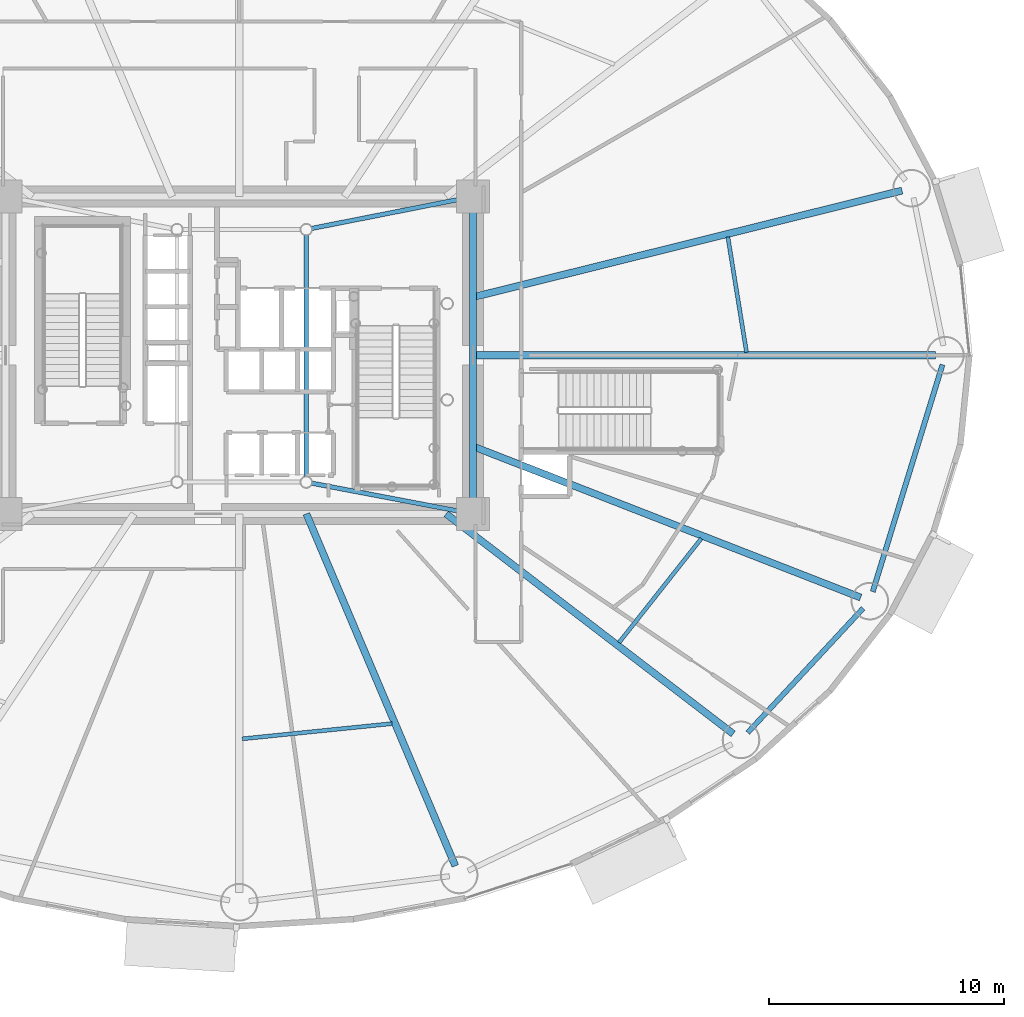
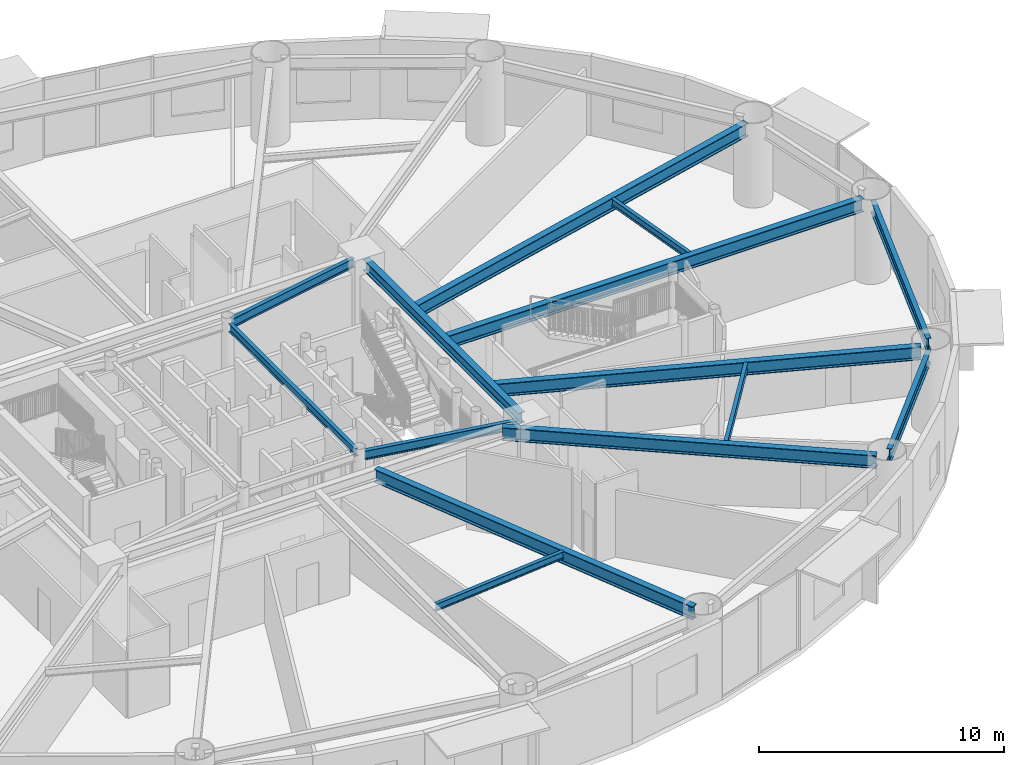
# One storey, part 7 of 29: 14 beams.
"""IFC4 building model written with IfcOpenShell, lengths in metres."""

from ifc_helpers import new_model, si_unit, direction, frame, origin, origin_2d, place, context, subcontext, project, spatial, i_section, extrude, material, material_profile, profile_set, type_object, element, save


model = new_model("IFC4")

# Units and contexts
model_context = context("Model", 3, precision=1e-05, world=origin(), true_north=direction((0.0, 1.0)))
body_context = subcontext(model_context, "Body", "Model", "MODEL_VIEW")
ifc_project = project(units=[si_unit("LENGTHUNIT", "METRE"), si_unit("AREAUNIT", "SQUARE_METRE"), si_unit("VOLUMEUNIT", "CUBIC_METRE"), si_unit("PLANEANGLEUNIT", "RADIAN"), si_unit("MASSUNIT", "GRAM", prefix="KILO")], contexts=[model_context])

# Site, building, storey
site_placement = place(None, origin())
site = spatial("IfcSite", under=ifc_project, at=site_placement, CompositionType="ELEMENT")
building_placement = place(site_placement, origin())
building = spatial("IfcBuilding", under=site, at=building_placement, Name="Linh Dai School and Residence Tower", CompositionType="ELEMENT")
storey_placement = place(building_placement, frame((0.0, 0.0, 45.0)))
storey = spatial("IfcBuildingStorey", under=building, at=storey_placement, Name="L10", CompositionType="ELEMENT", Elevation=45.0)

# Beams
ifc_material = material(Name="Structural Steel S355JR", Category="steel")
ifc_material_profile_1 = material_profile(ifc_material, i_section(OverallWidth=0.219970703125, OverallDepth=0.60009765625, WebThickness=0.011962890625, FlangeThickness=0.01904296875, FilletRadius=0.02392578125, at=origin_2d()), Name="IPE 600")
ifc_profile_set_1 = profile_set([ifc_material_profile_1], Name="Structural Steel S355JR")
beam_type_1 = type_object("IfcBeamType", Name="BM-RB60", PredefinedType="BEAM", material=ifc_profile_set_1)
beam_1_placement = place(storey_placement, frame((57.638427734375, 10.938720703125, 3.64990234375), z_axis=(0.680408287194, 0.732833243458, 0.0), x_axis=(-0.732833243458, 0.680408287194, 0.0)))
element("IfcBeam", 1, at=beam_1_placement, inside=storey, type_object=beam_type_1, Name="L10 Perimeter Elliptical Ring Beam 15", PredefinedType="BEAM", context=body_context, shape_type="SweptSolid", body=[
    extrude(i_section(OverallWidth=0.219970703125, OverallDepth=0.60009765625, WebThickness=0.011962890625, FlangeThickness=0.01904296875, FilletRadius=0.02392578125, at=origin_2d()), origin(), (0.0, 0.0, 1.0), 7.21826171875),
])
beam_2_placement = place(storey_placement, frame((62.958740234375, 16.937744140625, 3.64990234375), z_axis=(0.293673329015, 0.95590584046, 0.0), x_axis=(-0.95590584046, 0.293673329015, 0.0)))
element("IfcBeam", 2, at=beam_2_placement, inside=storey, type_object=beam_type_1, Name="L10 Perimeter Elliptical Ring Beam 16", PredefinedType="BEAM", context=body_context, shape_type="SweptSolid", body=[
    extrude(i_section(OverallWidth=0.219970703125, OverallDepth=0.60009765625, WebThickness=0.011962890625, FlangeThickness=0.01904296875, FilletRadius=0.02392578125, at=origin_2d()), origin(), (0.0, 0.0, 1.0), 10.1064453125),
])
ifc_material_profile_2 = material_profile(ifc_material, i_section(OverallWidth=0.300048828125, OverallDepth=0.550048828125, WebThickness=0.014892578125, FlangeThickness=0.029052734375, FilletRadius=0.027099609375, at=origin_2d()), Name="HEB 550")
ifc_profile_set_2 = profile_set([ifc_material_profile_2], Name="Structural Steel S355JR")
beam_type_2 = type_object("IfcBeamType", Name="BM-RG55", PredefinedType="BEAM", material=ifc_profile_set_2)
beam_3_placement = place(storey_placement, frame((45.949951171875, 20.669921875, 3.675048828125), z_axis=(0.0, 1.0, 0.0), x_axis=(-1.0, 0.0, 0.0)))
element("IfcBeam", 3, at=beam_3_placement, inside=storey, type_object=beam_type_2, Name="L10 Core Perimeter Coupling Girder 2", PredefinedType="BEAM", context=body_context, shape_type="SweptSolid", body=[
    extrude(i_section(OverallWidth=0.300048828125, OverallDepth=0.550048828125, WebThickness=0.014892578125, FlangeThickness=0.029052734375, FilletRadius=0.027099609375, at=origin_2d()), origin(), (0.0, 0.0, 1.0), 12.66015625),
])
ifc_material_profile_3 = material_profile(ifc_material, i_section(OverallWidth=0.300048828125, OverallDepth=0.64990234375, WebThickness=0.01611328125, FlangeThickness=0.031005859375, FilletRadius=0.027099609375, at=origin_2d()), Name="HEB 650")
ifc_profile_set_3 = profile_set([ifc_material_profile_3], Name="Structural Steel S355JR")
beam_type_3 = type_object("IfcBeamType", Name="BM-RG65", PredefinedType="BEAM", material=ifc_profile_set_3)
beam_4_placement = place(storey_placement, frame((45.949951171875, 27.0, 3.625), z_axis=(1.0, 0.0, 0.0), x_axis=(0.0, 1.0, 0.0)))
element("IfcBeam", 4, at=beam_4_placement, inside=storey, type_object=beam_type_3, Name="L10 Primary Radial Floor Girder 01", PredefinedType="BEAM", context=body_context, shape_type="SweptSolid", body=[
    extrude(i_section(OverallWidth=0.300048828125, OverallDepth=0.64990234375, WebThickness=0.01611328125, FlangeThickness=0.031005859375, FilletRadius=0.027099609375, at=origin_2d()), origin(), (0.0, 0.0, 1.0), 19.679931640625),
])
beam_5_placement = place(storey_placement, frame((45.949951171875, 29.47216796875, 3.625), z_axis=(0.970493481328, 0.241127357843, 0.0), x_axis=(-0.241127357843, 0.970493481328, 0.0)))
element("IfcBeam", 5, at=beam_5_placement, inside=storey, type_object=beam_type_3, Name="L10 Primary Radial Floor Girder 02", PredefinedType="BEAM", context=body_context, shape_type="SweptSolid", body=[
    extrude(i_section(OverallWidth=0.300048828125, OverallDepth=0.64990234375, WebThickness=0.01611328125, FlangeThickness=0.031005859375, FilletRadius=0.027099609375, at=origin_2d()), origin(), (0.0, 0.0, 1.0), 18.80810546875),
])
beam_6_placement = place(storey_placement, frame((38.85546875, 20.25, 3.625), z_axis=(0.38962432485, -0.920973878829, 0.0), x_axis=(0.920973878829, 0.38962432485, 0.0)))
element("IfcBeam", 6, at=beam_6_placement, inside=storey, type_object=beam_type_3, Name="L10 Primary Radial Floor Girder 14", PredefinedType="BEAM", context=body_context, shape_type="SweptSolid", body=[
    extrude(i_section(OverallWidth=0.300048828125, OverallDepth=0.64990234375, WebThickness=0.01611328125, FlangeThickness=0.031005859375, FilletRadius=0.027099609375, at=origin_2d()), origin(), (0.0, 0.0, 1.0), 16.2685546875),
])
beam_7_placement = place(storey_placement, frame((44.804931640625, 20.25, 3.625), z_axis=(0.793637764155, -0.608390581212, 0.0), x_axis=(0.608390581212, 0.793637764155, 0.0)))
element("IfcBeam", 7, at=beam_7_placement, inside=storey, type_object=beam_type_3, Name="L10 Primary Radial Floor Girder 15", PredefinedType="BEAM", context=body_context, shape_type="SweptSolid", body=[
    extrude(i_section(OverallWidth=0.300048828125, OverallDepth=0.64990234375, WebThickness=0.01611328125, FlangeThickness=0.031005859375, FilletRadius=0.027099609375, at=origin_2d()), origin(), (0.0, 0.0, 1.0), 15.390625),
])
beam_8_placement = place(storey_placement, frame((45.949951171875, 23.120361328125, 3.625), z_axis=(0.93167509369, -0.363292609061, 0.0), x_axis=(0.363292609061, 0.93167509369, 0.0)))
element("IfcBeam", 8, at=beam_8_placement, inside=storey, type_object=beam_type_3, Name="L10 Primary Radial Floor Girder 16", PredefinedType="BEAM", context=body_context, shape_type="SweptSolid", body=[
    extrude(i_section(OverallWidth=0.300048828125, OverallDepth=0.64990234375, WebThickness=0.01611328125, FlangeThickness=0.031005859375, FilletRadius=0.027099609375, at=origin_2d()), origin(), (0.0, 0.0, 1.0), 17.703857421875),
])
ifc_material_profile_4 = material_profile(ifc_material, i_section(OverallWidth=0.169921875, OverallDepth=0.360107421875, WebThickness=0.008056640625, FlangeThickness=0.0126953125, FilletRadius=0.01806640625, at=origin_2d()), Name="IPE 360")
ifc_profile_set_4 = profile_set([ifc_material_profile_4], Name="Structural Steel S355JR")
beam_type_4 = type_object("IfcBeamType", Name="BM-SB36", PredefinedType="BEAM", material=ifc_profile_set_4)
beam_9_placement = place(storey_placement, frame((57.587158203125, 27.12841796875, 3.77001953125), z_axis=(-0.159655745546, 0.987172752316, 0.0), x_axis=(-0.987172752316, -0.159655745546, 0.0)))
element("IfcBeam", 9, at=beam_9_placement, inside=storey, type_object=beam_type_4, Name="L10 Secondary Circumferential Floor Beam 01", PredefinedType="BEAM", context=body_context, shape_type="SweptSolid", body=[
    extrude(i_section(OverallWidth=0.169921875, OverallDepth=0.360107421875, WebThickness=0.008056640625, FlangeThickness=0.0126953125, FilletRadius=0.01806640625, at=origin_2d()), origin(), (0.0, 0.0, 1.0), 4.96826171875),
])
beam_10_placement = place(storey_placement, frame((36.12939453125, 10.67578125, 3.77001953125), z_axis=(0.994886521003, 0.100999061019, 0.0), x_axis=(-0.100999061019, 0.994886521003, 0.0)))
element("IfcBeam", 10, at=beam_10_placement, inside=storey, type_object=beam_type_4, Name="L10 Secondary Circumferential Floor Beam 07", PredefinedType="BEAM", context=body_context, shape_type="SweptSolid", body=[
    extrude(i_section(OverallWidth=0.169921875, OverallDepth=0.360107421875, WebThickness=0.008056640625, FlangeThickness=0.0126953125, FilletRadius=0.01806640625, at=origin_2d()), origin(), (0.0, 0.0, 1.0), 6.40087890625),
])
beam_11_placement = place(storey_placement, frame((52.163330078125, 14.77294921875, 3.77001953125), z_axis=(0.620205247605, 0.78443957756, 0.0), x_axis=(-0.78443957756, 0.620205247605, 0.0)))
element("IfcBeam", 11, at=beam_11_placement, inside=storey, type_object=beam_type_4, Name="L10 Secondary Circumferential Floor Beam 08", PredefinedType="BEAM", context=body_context, shape_type="SweptSolid", body=[
    extrude(i_section(OverallWidth=0.169921875, OverallDepth=0.360107421875, WebThickness=0.008056640625, FlangeThickness=0.0126953125, FilletRadius=0.01806640625, at=origin_2d()), origin(), (0.0, 0.0, 1.0), 5.642822265625),
])
ifc_material_profile_5 = material_profile(ifc_material, i_section(OverallWidth=0.179931640625, OverallDepth=0.39990234375, WebThickness=0.008544921875, FlangeThickness=0.013427734375, FilletRadius=0.02099609375, at=origin_2d()), Name="IPE 400")
ifc_profile_set_5 = profile_set([ifc_material_profile_5], Name="Structural Steel S355JR")
beam_type_5 = type_object("IfcBeamType", Name="BM-SB40", PredefinedType="BEAM", material=ifc_profile_set_5)
beam_12_placement = place(storey_placement, frame((38.85009765625, 21.823974609375, 3.75), z_axis=(0.0, 1.0, 0.0), x_axis=(-1.0, 0.0, 0.0)))
element("IfcBeam", 12, at=beam_12_placement, inside=storey, type_object=beam_type_5, Name="L10 Core Mast Pier Tie Beam 2", PredefinedType="BEAM", context=body_context, shape_type="SweptSolid", body=[
    extrude(i_section(OverallWidth=0.179931640625, OverallDepth=0.39990234375, WebThickness=0.008544921875, FlangeThickness=0.013427734375, FilletRadius=0.02099609375, at=origin_2d()), origin(), (0.0, 0.0, 1.0), 10.302001953125),
])
ifc_material_profile_6 = material_profile(ifc_material, i_section(OverallWidth=0.18994140625, OverallDepth=0.449951171875, WebThickness=0.009521484375, FlangeThickness=0.0146484375, FilletRadius=0.02099609375, at=origin_2d()), Name="IPE 450")
ifc_profile_set_6 = profile_set([ifc_material_profile_6], Name="Structural Steel S355JR")
beam_type_6 = type_object("IfcBeamType", Name="BM-SB45", PredefinedType="BEAM", material=ifc_profile_set_6)
beam_13_placement = place(storey_placement, frame((45.537353515625, 20.328369140625, 3.72509765625), z_axis=(-0.982397918823, 0.186800238471, 0.0), x_axis=(-0.186800238471, -0.982397918823, 0.0)))
element("IfcBeam", 13, at=beam_13_placement, inside=storey, type_object=beam_type_6, Name="L10 Core Corner-to-Mast Pier Beam 2", PredefinedType="BEAM", context=body_context, shape_type="SweptSolid", body=[
    extrude(i_section(OverallWidth=0.18994140625, OverallDepth=0.449951171875, WebThickness=0.009521484375, FlangeThickness=0.0146484375, FilletRadius=0.02099609375, at=origin_2d()), origin(), (0.0, 0.0, 1.0), 6.583251953125),
])
beam_14_placement = place(storey_placement, frame((45.537841796875, 33.668701171875, 3.72509765625), z_axis=(-0.981108354988, -0.193459028666, 0.0), x_axis=(0.193459028666, -0.981108354988, 0.0)))
element("IfcBeam", 14, at=beam_14_placement, inside=storey, type_object=beam_type_6, Name="L10 Core Corner-to-Mast Pier Beam 3", PredefinedType="BEAM", context=body_context, shape_type="SweptSolid", body=[
    extrude(i_section(OverallWidth=0.18994140625, OverallDepth=0.449951171875, WebThickness=0.009521484375, FlangeThickness=0.0146484375, FilletRadius=0.02099609375, at=origin_2d()), origin(), (0.0, 0.0, 1.0), 6.592529296875),
])

save(model, "model.ifc")
